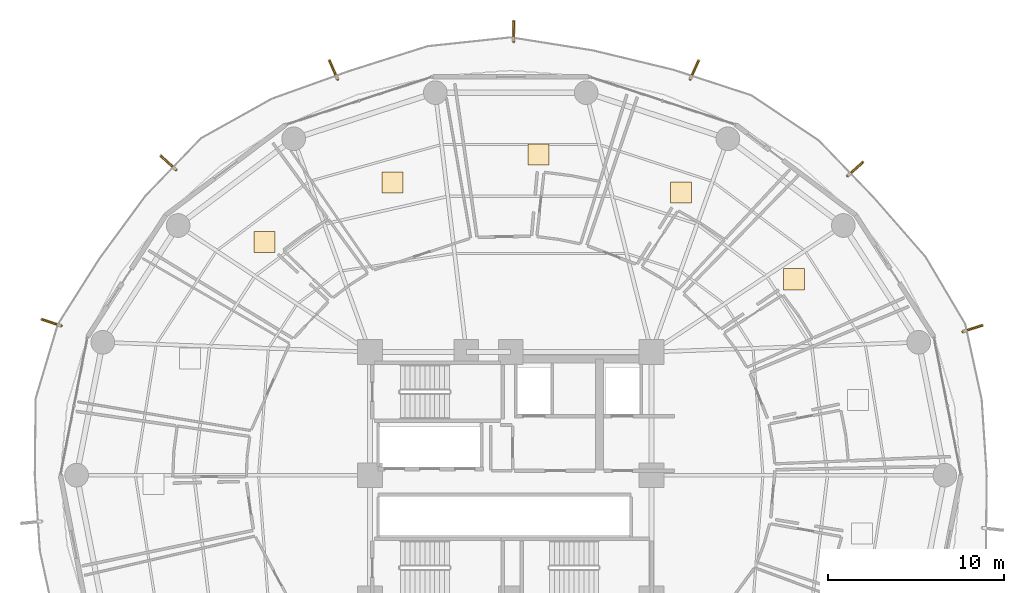
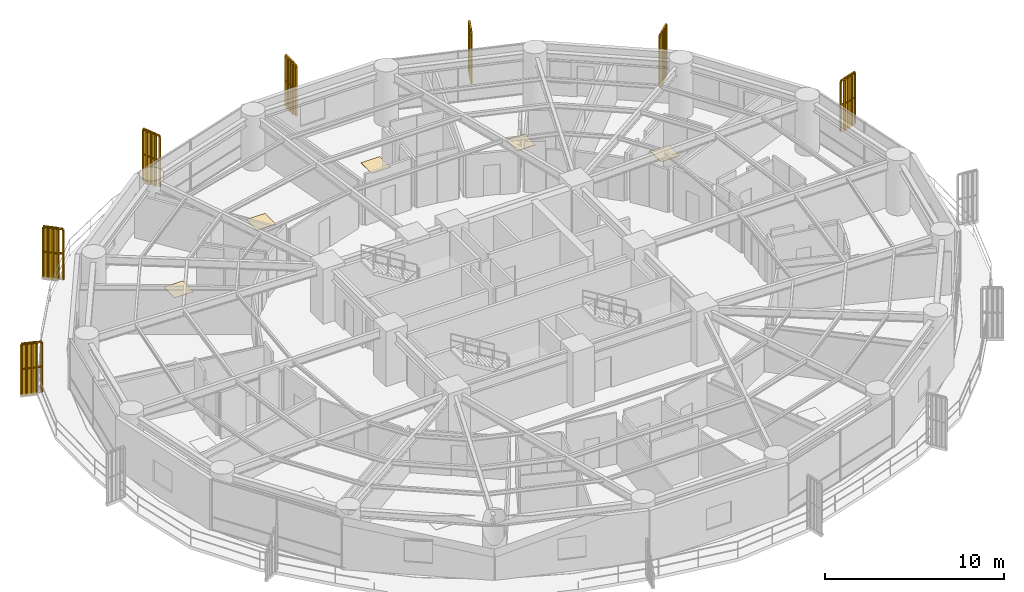
# One storey, part 35 of 35: 7 railings, 7 shading devices, 5 coverings.
"""IFC4 building model written with IfcOpenShell, lengths in metres."""

from ifc_helpers import new_model, si_unit, direction, frame, origin, origin_2d, place, context, subcontext, project, spatial, polyline, rectangle, outline, extrude, source, transform, mapped, material, layer, layer_set, type_object, element, save


model = new_model("IFC4")

# Units and contexts
model_context = context("Model", 3, precision=1e-05, world=origin(), true_north=direction((0.0, 1.0)))
body_context = subcontext(model_context, "Body", "Model", "MODEL_VIEW")
ifc_project = project(units=[si_unit("LENGTHUNIT", "METRE"), si_unit("AREAUNIT", "SQUARE_METRE"), si_unit("VOLUMEUNIT", "CUBIC_METRE"), si_unit("PLANEANGLEUNIT", "RADIAN"), si_unit("MASSUNIT", "GRAM", prefix="KILO")], contexts=[model_context])

# Site, building, storey
site_placement = place(None, origin())
site = spatial("IfcSite", under=ifc_project, at=site_placement, CompositionType="ELEMENT")
building_placement = place(site_placement, origin())
building = spatial("IfcBuilding", under=site, at=building_placement, Name="Kelanora Arch Commons", CompositionType="ELEMENT")
storey_placement = place(building_placement, frame((0.0, 0.0, 95.10009765625)))
storey = spatial("IfcBuildingStorey", under=building, at=storey_placement, Name="L24", CompositionType="ELEMENT", Elevation=95.10009765625)

# Railings
ifc_material_1 = material(Name="Anodised bronze vertical shading fin rib assembly")
railing_type = type_object("IfcRailingType", Name="RAIL-FIN-BRZ", PredefinedType="BALUSTRADE", material=ifc_material_1)
railing_1_placement = place(storey_placement, frame((93.14599609375, 75.010498046875, -0.02001953125)))
element("IfcRailing", 1, at=railing_1_placement, inside=storey, type_object=railing_type, Name="Sweeping Bronze Vertical Fin Blade L24-00", PredefinedType="BALUSTRADE", context=body_context, shape_type="SweptSolid", body=[
    extrude(outline(polyline([(0.06982421875, 0.0), (0.034912109375, 0.060546875), (-0.034912109375, 0.060546875), (-0.06982421875, 0.0), (-0.034912109375, -0.060546875), (0.034912109375, -0.060546875), (0.06982421875, 0.0)])), frame((0.0, 0.0, 3.419921875), z_axis=(0.747525353365, 0.664233276851, 0.0), x_axis=(-0.664233276851, 0.747525353365, 0.0)), (0.0, 0.0, 1.0), 1.16064453125),
    extrude(outline(polyline([(0.06982421875, 0.0), (0.034912109375, 0.060546875), (-0.034912109375, 0.060546875), (-0.06982421875, 0.0), (-0.034912109375, -0.060546875), (0.034912109375, -0.060546875), (0.06982421875, 0.0)])), frame((0.0, 0.0, 1.7451171875), z_axis=(0.747525353365, 0.664233276851, 0.0), x_axis=(-0.664233276851, 0.747525353365, 0.0)), (0.0, 0.0, 1.0), 1.16064453125),
    extrude(outline(polyline([(0.080078125, 0.0), (0.0400390625, 0.0693359375), (-0.0400390625, 0.0693359375), (-0.080078125, 0.0), (-0.0400390625, -0.0693359375), (0.0400390625, -0.0693359375), (0.080078125, 0.0)])), origin(), (0.0, 0.0, 1.0), 3.35009765625),
    extrude(outline(polyline([(0.080078125, 0.0), (0.0400390625, 0.0693359375), (-0.0400390625, 0.0693359375), (-0.080078125, 0.0), (-0.0400390625, -0.0693359375), (0.0400390625, -0.0693359375), (0.080078125, 0.0)])), frame((0.216796875, 0.19287109375, 0.0)), (0.0, 0.0, 1.0), 3.35009765625),
    extrude(outline(polyline([(0.080078125, 0.0), (0.0400390625, 0.0693359375), (-0.0400390625, 0.0693359375), (-0.080078125, 0.0), (-0.0400390625, -0.0693359375), (0.0400390625, -0.0693359375), (0.080078125, 0.0)])), frame((0.433837890625, 0.385498046875, 0.0)), (0.0, 0.0, 1.0), 3.35009765625),
    extrude(outline(polyline([(0.080078125, 0.0), (0.0400390625, 0.0693359375), (-0.0400390625, 0.0693359375), (-0.080078125, 0.0), (-0.0400390625, -0.0693359375), (0.0400390625, -0.0693359375), (0.080078125, 0.0)])), frame((0.65087890625, 0.578125, 0.0)), (0.0, 0.0, 1.0), 3.35009765625),
    extrude(outline(polyline([(0.080078125, 0.0), (0.0400390625, 0.0693359375), (-0.0400390625, 0.0693359375), (-0.080078125, 0.0), (-0.0400390625, -0.0693359375), (0.0400390625, -0.0693359375), (0.080078125, 0.0)])), frame((0.86767578125, 0.77099609375, 0.0)), (0.0, 0.0, 1.0), 3.35009765625),
])
railing_2_placement = place(storey_placement, frame((84.19873046875, 80.503662109375, -0.02001953125)))
element("IfcRailing", 2, at=railing_2_placement, inside=storey, type_object=railing_type, Name="Sweeping Bronze Vertical Fin Blade L24-01", PredefinedType="BALUSTRADE", context=body_context, shape_type="SweptSolid", body=[
    extrude(outline(polyline([(0.06982421875, 0.0), (0.034912109375, 0.060546875), (-0.034912109375, 0.060546875), (-0.06982421875, 0.0), (-0.034912109375, -0.060546875), (0.034912109375, -0.060546875), (0.06982421875, 0.0)])), frame((0.0, 0.0, 3.419921875), z_axis=(0.412645855812, 0.910891540021, 0.0), x_axis=(-0.910891540021, 0.412645855812, 0.0)), (0.0, 0.0, 1.0), 1.160888671875),
    extrude(outline(polyline([(0.06982421875, 0.0), (0.034912109375, 0.060546875), (-0.034912109375, 0.060546875), (-0.06982421875, 0.0), (-0.034912109375, -0.060546875), (0.034912109375, -0.060546875), (0.06982421875, 0.0)])), frame((0.0, 0.0, 1.7451171875), z_axis=(0.412645855812, 0.910891540021, 0.0), x_axis=(-0.910891540021, 0.412645855812, 0.0)), (0.0, 0.0, 1.0), 1.160888671875),
    extrude(outline(polyline([(0.080078125, 0.0), (0.0400390625, 0.0693359375), (-0.0400390625, 0.0693359375), (-0.080078125, 0.0), (-0.0400390625, -0.0693359375), (0.0400390625, -0.0693359375), (0.080078125, 0.0)])), origin(), (0.0, 0.0, 1.0), 3.35009765625),
    extrude(outline(polyline([(0.080078125, 0.0), (0.0400390625, 0.0693359375), (-0.0400390625, 0.0693359375), (-0.080078125, 0.0), (-0.0400390625, -0.0693359375), (0.0400390625, -0.0693359375), (0.080078125, 0.0)])), frame((0.11962890625, 0.264404296875, 0.0)), (0.0, 0.0, 1.0), 3.35009765625),
    extrude(outline(polyline([(0.080078125, 0.0), (0.0400390625, 0.0693359375), (-0.0400390625, 0.0693359375), (-0.080078125, 0.0), (-0.0400390625, -0.0693359375), (0.0400390625, -0.0693359375), (0.080078125, 0.0)])), frame((0.239501953125, 0.52880859375, 0.0)), (0.0, 0.0, 1.0), 3.35009765625),
    extrude(outline(polyline([(0.080078125, 0.0), (0.0400390625, 0.0693359375), (-0.0400390625, 0.0693359375), (-0.080078125, 0.0), (-0.0400390625, -0.0693359375), (0.0400390625, -0.0693359375), (0.080078125, 0.0)])), frame((0.359375, 0.79296875, 0.0)), (0.0, 0.0, 1.0), 3.35009765625),
    extrude(outline(polyline([(0.080078125, 0.0), (0.0400390625, 0.0693359375), (-0.0400390625, 0.0693359375), (-0.080078125, 0.0), (-0.0400390625, -0.0693359375), (0.0400390625, -0.0693359375), (0.080078125, 0.0)])), frame((0.47900390625, 1.057373046875, 0.0)), (0.0, 0.0, 1.0), 3.35009765625),
])
railing_3_placement = place(storey_placement, frame((74.16357421875, 82.644775390625, -0.02001953125)))
element("IfcRailing", 3, at=railing_3_placement, inside=storey, type_object=railing_type, Name="Sweeping Bronze Vertical Fin Blade L24-02", PredefinedType="BALUSTRADE", context=body_context, shape_type="SweptSolid", body=[
    extrude(outline(polyline([(0.06982421875, 0.0), (0.034912109375, 0.060546875), (-0.034912109375, 0.060546875), (-0.06982421875, 0.0), (-0.034912109375, -0.060546875), (0.034912109375, -0.060546875), (0.06982421875, 0.0)])), frame((0.0, 0.0, 3.419921875), z_axis=(0.006519314663, 0.999978749042, 0.0), x_axis=(-0.999978749042, 0.006519314663, 0.0)), (0.0, 0.0, 1.0), 1.160888671875),
    extrude(outline(polyline([(0.06982421875, 0.0), (0.034912109375, 0.060546875), (-0.034912109375, 0.060546875), (-0.06982421875, 0.0), (-0.034912109375, -0.060546875), (0.034912109375, -0.060546875), (0.06982421875, 0.0)])), frame((0.0, 0.0, 1.7451171875), z_axis=(0.006519314663, 0.999978749042, 0.0), x_axis=(-0.999978749042, 0.006519314663, 0.0)), (0.0, 0.0, 1.0), 1.160888671875),
    extrude(outline(polyline([(0.080078125, 0.0), (0.0400390625, 0.0693359375), (-0.0400390625, 0.0693359375), (-0.080078125, 0.0), (-0.0400390625, -0.0693359375), (0.0400390625, -0.0693359375), (0.080078125, 0.0)])), origin(), (0.0, 0.0, 1.0), 3.35009765625),
    extrude(outline(polyline([(0.080078125, 0.0), (0.0400390625, 0.0693359375), (-0.0400390625, 0.0693359375), (-0.080078125, 0.0), (-0.0400390625, -0.0693359375), (0.0400390625, -0.0693359375), (0.080078125, 0.0)])), frame((0.001953125, 0.290283203125, 0.0)), (0.0, 0.0, 1.0), 3.35009765625),
    extrude(outline(polyline([(0.080078125, 0.0), (0.0400390625, 0.0693359375), (-0.0400390625, 0.0693359375), (-0.080078125, 0.0), (-0.0400390625, -0.0693359375), (0.0400390625, -0.0693359375), (0.080078125, 0.0)])), frame((0.00390625, 0.58056640625, 0.0)), (0.0, 0.0, 1.0), 3.35009765625),
    extrude(outline(polyline([(0.080078125, 0.0), (0.0400390625, 0.0693359375), (-0.0400390625, 0.0693359375), (-0.080078125, 0.0), (-0.0400390625, -0.0693359375), (0.0400390625, -0.0693359375), (0.080078125, 0.0)])), frame((0.005615234375, 0.87060546875, 0.0)), (0.0, 0.0, 1.0), 3.35009765625),
    extrude(outline(polyline([(0.080078125, 0.0), (0.0400390625, 0.0693359375), (-0.0400390625, 0.0693359375), (-0.080078125, 0.0), (-0.0400390625, -0.0693359375), (0.0400390625, -0.0693359375), (0.080078125, 0.0)])), frame((0.007568359375, 1.160888671875, 0.0)), (0.0, 0.0, 1.0), 3.35009765625),
])
railing_4_placement = place(storey_placement, frame((64.157470703125, 80.507080078125, -0.02001953125)))
element("IfcRailing", 4, at=railing_4_placement, inside=storey, type_object=railing_type, Name="Sweeping Bronze Vertical Fin Blade L24-03", PredefinedType="BALUSTRADE", context=body_context, shape_type="SweptSolid", body=[
    extrude(outline(polyline([(0.06982421875, 0.0), (0.034912109375, 0.060546875), (-0.034912109375, 0.060546875), (-0.06982421875, 0.0), (-0.034912109375, -0.060546875), (0.034912109375, -0.060546875), (0.06982421875, 0.0)])), frame((0.0, 0.0, 3.419921875), z_axis=(-0.400609219463, 0.916249012704, 0.0), x_axis=(-0.916249012704, -0.400609219463, 0.0)), (0.0, 0.0, 1.0), 1.160888671875),
    extrude(outline(polyline([(0.06982421875, 0.0), (0.034912109375, 0.060546875), (-0.034912109375, 0.060546875), (-0.06982421875, 0.0), (-0.034912109375, -0.060546875), (0.034912109375, -0.060546875), (0.06982421875, 0.0)])), frame((0.0, 0.0, 1.7451171875), z_axis=(-0.400609219463, 0.916249012704, 0.0), x_axis=(-0.916249012704, -0.400609219463, 0.0)), (0.0, 0.0, 1.0), 1.160888671875),
    extrude(outline(polyline([(0.080078125, 0.0), (0.0400390625, 0.0693359375), (-0.0400390625, 0.0693359375), (-0.080078125, 0.0), (-0.0400390625, -0.0693359375), (0.0400390625, -0.0693359375), (0.080078125, 0.0)])), origin(), (0.0, 0.0, 1.0), 3.35009765625),
    extrude(outline(polyline([(0.080078125, 0.0), (0.0400390625, 0.0693359375), (-0.0400390625, 0.0693359375), (-0.080078125, 0.0), (-0.0400390625, -0.0693359375), (0.0400390625, -0.0693359375), (0.080078125, 0.0)])), frame((-0.1162109375, 0.265869140625, 0.0)), (0.0, 0.0, 1.0), 3.35009765625),
    extrude(outline(polyline([(0.080078125, 0.0), (0.0400390625, 0.0693359375), (-0.0400390625, 0.0693359375), (-0.080078125, 0.0), (-0.0400390625, -0.0693359375), (0.0400390625, -0.0693359375), (0.080078125, 0.0)])), frame((-0.232421875, 0.53173828125, 0.0)), (0.0, 0.0, 1.0), 3.35009765625),
    extrude(outline(polyline([(0.080078125, 0.0), (0.0400390625, 0.0693359375), (-0.0400390625, 0.0693359375), (-0.080078125, 0.0), (-0.0400390625, -0.0693359375), (0.0400390625, -0.0693359375), (0.080078125, 0.0)])), frame((-0.348876953125, 0.7978515625, 0.0)), (0.0, 0.0, 1.0), 3.35009765625),
    extrude(outline(polyline([(0.080078125, 0.0), (0.0400390625, 0.0693359375), (-0.0400390625, 0.0693359375), (-0.080078125, 0.0), (-0.0400390625, -0.0693359375), (0.0400390625, -0.0693359375), (0.080078125, 0.0)])), frame((-0.465087890625, 1.063720703125, 0.0)), (0.0, 0.0, 1.0), 3.35009765625),
])
railing_5_placement = place(storey_placement, frame((54.9716796875, 75.363037109375, -0.02001953125)))
element("IfcRailing", 5, at=railing_5_placement, inside=storey, type_object=railing_type, Name="Sweeping Bronze Vertical Fin Blade L24-04", PredefinedType="BALUSTRADE", context=body_context, shape_type="SweptSolid", body=[
    extrude(outline(polyline([(0.06982421875, 0.0), (0.034912109375, 0.060546875), (-0.034912109375, 0.060546875), (-0.06982421875, 0.0), (-0.034912109375, -0.060546875), (0.034912109375, -0.060546875), (0.06982421875, 0.0)])), frame((0.0, 0.0, 3.419921875), z_axis=(-0.738653946005, 0.674084822593, 0.0), x_axis=(-0.674084822593, -0.738653946005, 0.0)), (0.0, 0.0, 1.0), 1.160888671875),
    extrude(outline(polyline([(0.06982421875, 0.0), (0.034912109375, 0.060546875), (-0.034912109375, 0.060546875), (-0.06982421875, 0.0), (-0.034912109375, -0.060546875), (0.034912109375, -0.060546875), (0.06982421875, 0.0)])), frame((0.0, 0.0, 1.7451171875), z_axis=(-0.738653946005, 0.674084822593, 0.0), x_axis=(-0.674084822593, -0.738653946005, 0.0)), (0.0, 0.0, 1.0), 1.160888671875),
    extrude(outline(polyline([(0.080078125, 0.0), (0.0400390625, 0.0693359375), (-0.0400390625, 0.0693359375), (-0.080078125, 0.0), (-0.0400390625, -0.0693359375), (0.0400390625, -0.0693359375), (0.080078125, 0.0)])), origin(), (0.0, 0.0, 1.0), 3.35009765625),
    extrude(outline(polyline([(0.080078125, 0.0), (0.0400390625, 0.0693359375), (-0.0400390625, 0.0693359375), (-0.080078125, 0.0), (-0.0400390625, -0.0693359375), (0.0400390625, -0.0693359375), (0.080078125, 0.0)])), frame((-0.21435546875, 0.195556640625, 0.0)), (0.0, 0.0, 1.0), 3.35009765625),
    extrude(outline(polyline([(0.080078125, 0.0), (0.0400390625, 0.0693359375), (-0.0400390625, 0.0693359375), (-0.080078125, 0.0), (-0.0400390625, -0.0693359375), (0.0400390625, -0.0693359375), (0.080078125, 0.0)])), frame((-0.4287109375, 0.39111328125, 0.0)), (0.0, 0.0, 1.0), 3.35009765625),
    extrude(outline(polyline([(0.080078125, 0.0), (0.0400390625, 0.0693359375), (-0.0400390625, 0.0693359375), (-0.080078125, 0.0), (-0.0400390625, -0.0693359375), (0.0400390625, -0.0693359375), (0.080078125, 0.0)])), frame((-0.64306640625, 0.5869140625, 0.0)), (0.0, 0.0, 1.0), 3.35009765625),
    extrude(outline(polyline([(0.080078125, 0.0), (0.0400390625, 0.0693359375), (-0.0400390625, 0.0693359375), (-0.080078125, 0.0), (-0.0400390625, -0.0693359375), (0.0400390625, -0.0693359375), (0.080078125, 0.0)])), frame((-0.857421875, 0.782470703125, 0.0)), (0.0, 0.0, 1.0), 3.35009765625),
])
railing_6_placement = place(storey_placement, frame((48.45263671875, 66.488525390625, -0.02001953125)))
element("IfcRailing", 6, at=railing_6_placement, inside=storey, type_object=railing_type, Name="Sweeping Bronze Vertical Fin Blade L24-05", PredefinedType="BALUSTRADE", context=body_context, shape_type="SweptSolid", body=[
    extrude(outline(polyline([(0.06982421875, 0.0), (0.034912109375, 0.060546875), (-0.034912109375, 0.060546875), (-0.06982421875, 0.0), (-0.034912109375, -0.060546875), (0.034912109375, -0.060546875), (0.06982421875, 0.0)])), frame((0.0, 0.0, 3.419921875), z_axis=(-0.948998317377, 0.315281134253, 0.0), x_axis=(-0.315281134253, -0.948998317377, 0.0)), (0.0, 0.0, 1.0), 1.16064453125),
    extrude(outline(polyline([(0.06982421875, 0.0), (0.034912109375, 0.060546875), (-0.034912109375, 0.060546875), (-0.06982421875, 0.0), (-0.034912109375, -0.060546875), (0.034912109375, -0.060546875), (0.06982421875, 0.0)])), frame((0.0, 0.0, 1.7451171875), z_axis=(-0.948998317377, 0.315281134253, 0.0), x_axis=(-0.315281134253, -0.948998317377, 0.0)), (0.0, 0.0, 1.0), 1.16064453125),
    extrude(outline(polyline([(0.080078125, 0.0), (0.0400390625, 0.0693359375), (-0.0400390625, 0.0693359375), (-0.080078125, 0.0), (-0.0400390625, -0.0693359375), (0.0400390625, -0.0693359375), (0.080078125, 0.0)])), origin(), (0.0, 0.0, 1.0), 3.35009765625),
    extrude(outline(polyline([(0.080078125, 0.0), (0.0400390625, 0.0693359375), (-0.0400390625, 0.0693359375), (-0.080078125, 0.0), (-0.0400390625, -0.0693359375), (0.0400390625, -0.0693359375), (0.080078125, 0.0)])), frame((-0.275390625, 0.091552734375, 0.0)), (0.0, 0.0, 1.0), 3.35009765625),
    extrude(outline(polyline([(0.080078125, 0.0), (0.0400390625, 0.0693359375), (-0.0400390625, 0.0693359375), (-0.080078125, 0.0), (-0.0400390625, -0.0693359375), (0.0400390625, -0.0693359375), (0.080078125, 0.0)])), frame((-0.55078125, 0.18310546875, 0.0)), (0.0, 0.0, 1.0), 3.35009765625),
    extrude(outline(polyline([(0.080078125, 0.0), (0.0400390625, 0.0693359375), (-0.0400390625, 0.0693359375), (-0.080078125, 0.0), (-0.0400390625, -0.0693359375), (0.0400390625, -0.0693359375), (0.080078125, 0.0)])), frame((-0.826171875, 0.2744140625, 0.0)), (0.0, 0.0, 1.0), 3.35009765625),
    extrude(outline(polyline([(0.080078125, 0.0), (0.0400390625, 0.0693359375), (-0.0400390625, 0.0693359375), (-0.080078125, 0.0), (-0.0400390625, -0.0693359375), (0.0400390625, -0.0693359375), (0.080078125, 0.0)])), frame((-1.1015625, 0.365966796875, 0.0)), (0.0, 0.0, 1.0), 3.35009765625),
])
railing_7_placement = place(storey_placement, frame((99.7041015625, 66.163818359375, -0.02001953125)))
element("IfcRailing", 7, at=railing_7_placement, inside=storey, type_object=railing_type, Name="Sweeping Bronze Vertical Fin Blade L24-14", PredefinedType="BALUSTRADE", context=body_context, shape_type="SweptSolid", body=[
    extrude(outline(polyline([(0.06982421875, 0.0), (0.034912109375, 0.060546875), (-0.034912109375, 0.060546875), (-0.06982421875, 0.0), (-0.034912109375, -0.060546875), (0.034912109375, -0.060546875), (0.06982421875, 0.0)])), frame((0.0, 0.0, 3.419921875), z_axis=(0.953149301221, 0.302500263773, 0.0), x_axis=(-0.302500263773, 0.953149301221, 0.0)), (0.0, 0.0, 1.0), 1.16064453125),
    extrude(outline(polyline([(0.06982421875, 0.0), (0.034912109375, 0.060546875), (-0.034912109375, 0.060546875), (-0.06982421875, 0.0), (-0.034912109375, -0.060546875), (0.034912109375, -0.060546875), (0.06982421875, 0.0)])), frame((0.0, 0.0, 1.7451171875), z_axis=(0.953149301221, 0.302500263773, 0.0), x_axis=(-0.302500263773, 0.953149301221, 0.0)), (0.0, 0.0, 1.0), 1.16064453125),
    extrude(outline(polyline([(0.080078125, 0.0), (0.0400390625, 0.0693359375), (-0.0400390625, 0.0693359375), (-0.080078125, 0.0), (-0.0400390625, -0.0693359375), (0.0400390625, -0.0693359375), (0.080078125, 0.0)])), origin(), (0.0, 0.0, 1.0), 3.35009765625),
    extrude(outline(polyline([(0.080078125, 0.0), (0.0400390625, 0.0693359375), (-0.0400390625, 0.0693359375), (-0.080078125, 0.0), (-0.0400390625, -0.0693359375), (0.0400390625, -0.0693359375), (0.080078125, 0.0)])), frame((0.276611328125, 0.087890625, 0.0)), (0.0, 0.0, 1.0), 3.35009765625),
    extrude(outline(polyline([(0.080078125, 0.0), (0.0400390625, 0.0693359375), (-0.0400390625, 0.0693359375), (-0.080078125, 0.0), (-0.0400390625, -0.0693359375), (0.0400390625, -0.0693359375), (0.080078125, 0.0)])), frame((0.55322265625, 0.175537109375, 0.0)), (0.0, 0.0, 1.0), 3.35009765625),
    extrude(outline(polyline([(0.080078125, 0.0), (0.0400390625, 0.0693359375), (-0.0400390625, 0.0693359375), (-0.080078125, 0.0), (-0.0400390625, -0.0693359375), (0.0400390625, -0.0693359375), (0.080078125, 0.0)])), frame((0.82958984375, 0.26318359375, 0.0)), (0.0, 0.0, 1.0), 3.35009765625),
    extrude(outline(polyline([(0.080078125, 0.0), (0.0400390625, 0.0693359375), (-0.0400390625, 0.0693359375), (-0.080078125, 0.0), (-0.0400390625, -0.0693359375), (0.0400390625, -0.0693359375), (0.080078125, 0.0)])), frame((1.106201171875, 0.35107421875, 0.0)), (0.0, 0.0, 1.0), 3.35009765625),
])

# Shading devices
ifc_material_2 = material(Name="Terracotta ceramic-clad extruded aluminium fin", Category="masonry")
shading_device_type = type_object("IfcShadingDeviceType", Name="SHD-FIN-FLARE", PredefinedType="USERDEFINED", material=ifc_material_2)
shared_shape_1 = source(origin(), body_context, "Body", "SweptSolid", [
    extrude(rectangle(XDim=0.8798828125, YDim=0.090087890625, at=origin_2d()), origin(), (0.0, 0.0, 1.0), 3.610107421875),
])
for number, where, z_axis, x_axis, name in (
    (8, (93.68408203125, 75.48876953125, -0.14013671875), (0.0, 0.0, 1.0), (0.747566290977, 0.664187202975, 0.0), "Sweeping Terracotta Fin L24-00"),
    (9, (84.495849609375, 81.159423828125, -0.14013671875), (0.0, 0.0, 1.0), (0.412786516097, 0.91082780597, 0.0), "Sweeping Terracotta Fin L24-01"),
    (10, (74.168212890625, 83.36474609375, -0.14013671875), (0.0, 0.0, 1.0), (0.006632202536, 0.999978006703, 0.0), "Sweeping Terracotta Fin L24-02"),
    (11, (63.868896484375, 81.1669921875, -0.14013671875), (0.0, 0.0, 1.0), (-0.400668879095, 0.916222925562, 0.0), "Sweeping Terracotta Fin L24-03"),
    (12, (54.439697265625, 75.848388671875, -0.14013671875), (0.0, 0.0, 1.0), (-0.738690671568, 0.674044576967, 0.0), "Sweeping Terracotta Fin L24-04"),
    (13, (47.769287109375, 66.715576171875, -0.14013671875), (0.0, 0.0, 1.0), (-0.948986136133, 0.315317797511, 0.0), "Sweeping Terracotta Fin L24-05"),
    (14, (100.39013671875, 66.381591796875, -0.14013671875), (0.0, 0.0, 1.0), (0.95308506272, 0.302702598633, 0.0), "Sweeping Terracotta Fin L24-14"),
):
    element("IfcShadingDevice", number, at=place(storey_placement, frame(where, z_axis=z_axis, x_axis=x_axis)), inside=storey, type_object=shading_device_type, Name=name, ObjectType="FIN", PredefinedType="USERDEFINED", context=body_context, shape_type="MappedRepresentation", body=[
        mapped(shared_shape_1, transform((0.0, 0.0, 0.0), scale=1.0)),
    ])

# Coverings
ifc_material_3 = material(Name="Polished local granite terrazzo flooring", Category="masonry")
ifc_layer = layer(ifc_material_3, 0.030029296875)
ifc_layer_set = layer_set([ifc_layer], Name="Polished local granite terrazzo flooring")
covering_type = type_object("IfcCoveringType", Name="COV-FLR-TER", PredefinedType="FLOORING", material=ifc_layer_set)
shared_shape_2 = source(origin(), body_context, "Body", "SweptSolid", [
    extrude(rectangle(XDim=1.199951171875, YDim=1.199951171875, at=origin_2d()), origin(), (0.0, 0.0, 1.0), 0.030029296875),
])
for number, where, z_axis, x_axis, name in (
    (15, (90.10302734375, 69.137939453125, 0.0), (0.0, 0.0, 1.0), (1.0, 0.0, 0.0), "Co-Living Studio L24-01 Terrazzo Finish"),
    (16, (83.677001953125, 74.068359375, 0.0), (0.0, 0.0, 1.0), (1.0, 0.0, 0.0), "Co-Living Studio L24-02 Terrazzo Finish"),
    (17, (75.57763671875, 76.219970703125, 0.0), (0.0, 0.0, 1.0), (1.0, 0.0, 0.0), "Co-Living Studio L24-03 Terrazzo Finish"),
    (18, (67.273681640625, 74.636962890625, 0.0), (0.0, 0.0, 1.0), (1.0, 0.0, 0.0), "Communal Dining and Social Hall L24-04 Terrazzo Finish"),
    (19, (60.00830078125, 71.244873046875, 0.0), (0.0, 0.0, 1.0), (1.0, 0.0, 0.0), "Co-Living Studio L24-05 Terrazzo Finish"),
):
    element("IfcCovering", number, at=place(storey_placement, frame(where, z_axis=z_axis, x_axis=x_axis)), inside=storey, type_object=covering_type, Name=name, PredefinedType="FLOORING", context=body_context, shape_type="MappedRepresentation", body=[
        mapped(shared_shape_2, transform((0.0, 0.0, 0.0), scale=1.0)),
    ])

save(model, "model.ifc")
